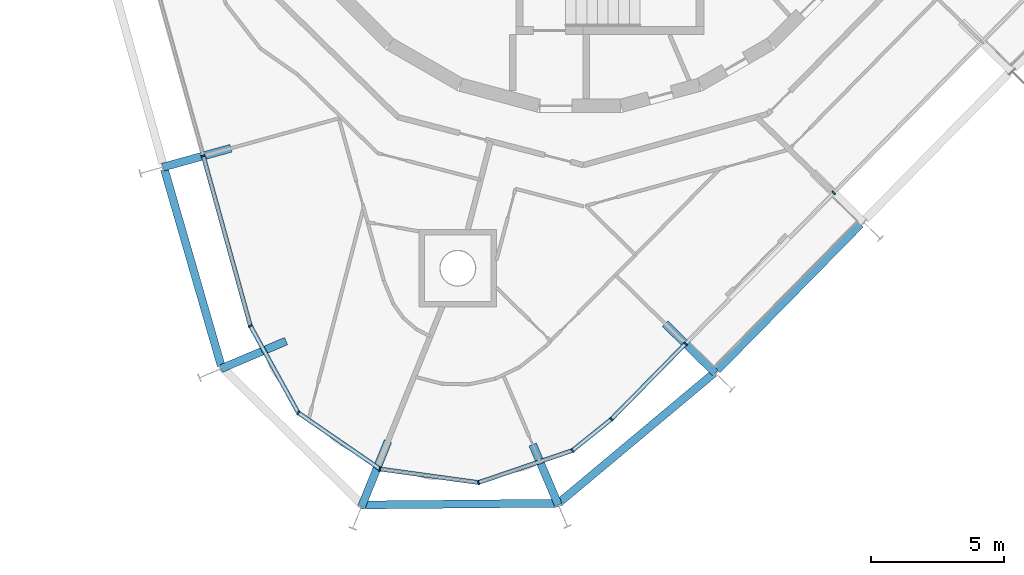
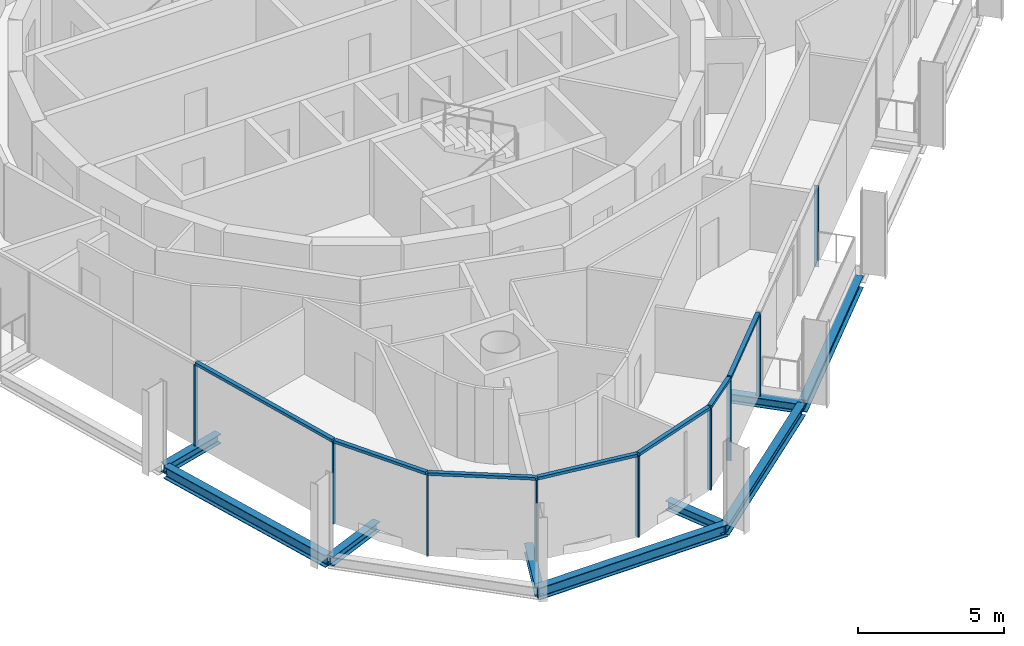
# One storey, part 2 of 15: 16 members, 9 beams, 2 elements without a shape of their own.
"""IFC4 building model written with IfcOpenShell, lengths in metres."""

from ifc_helpers import new_model, si_unit, direction, frame, origin, origin_2d, place, context, subcontext, project, spatial, rectangle, i_section, extrude, material, layer, layer_set, material_profile, profile_set, type_object, element, aggregate, save


model = new_model("IFC4")

# Units and contexts
model_context = context("Model", 3, precision=1e-05, world=origin(), true_north=direction((0.0, 1.0)))
body_context = subcontext(model_context, "Body", "Model", "MODEL_VIEW")
ifc_project = project(units=[si_unit("LENGTHUNIT", "METRE"), si_unit("AREAUNIT", "SQUARE_METRE"), si_unit("VOLUMEUNIT", "CUBIC_METRE"), si_unit("PLANEANGLEUNIT", "RADIAN"), si_unit("MASSUNIT", "GRAM", prefix="KILO")], contexts=[model_context])

# Site, building, storey
site_placement = place(None, origin())
site = spatial("IfcSite", under=ifc_project, at=site_placement, CompositionType="ELEMENT")
building_placement = place(site_placement, origin())
building = spatial("IfcBuilding", under=site, at=building_placement, Name="Spindle Arch Residences", CompositionType="ELEMENT")
storey_placement = place(building_placement, frame((0.0, 0.0, 305.199951171875)))
storey = spatial("IfcBuildingStorey", under=building, at=storey_placement, Name="L78", CompositionType="ELEMENT", Elevation=305.199951171875)

# Curtain wall, members
ifc_material_1 = material(Name="Aluminium bronze unitised frame with tinted glass", Category="aluminium")
ifc_layer_1 = layer(ifc_material_1, 0.159912109375)
ifc_layer_set_1 = layer_set([ifc_layer_1], Name="CW-D corner wall on the fillet arcs")
curtain_wall_type_1 = type_object("IfcCurtainWallType", Name="CW-D corner wall on the fillet arcs", PredefinedType="NOTDEFINED", material=ifc_layer_set_1)
curtain_wall_1_placement = place(storey_placement, origin())
curtain_wall_1 = element("IfcCurtainWall", 1, at=curtain_wall_1_placement, inside=storey, type_object=curtain_wall_type_1, Name="CW-D L78 run 5", PredefinedType="NOTDEFINED")
ifc_material_2 = material(Name="Aluminium bronze anodised mullion", Category="aluminium")
ifc_material_profile_1 = material_profile(ifc_material_2, rectangle(XDim=0.159912109375, YDim=0.06005859375, at=origin_2d()), Name="MU 60x160")
ifc_profile_set_1 = profile_set([ifc_material_profile_1], Name="Aluminium bronze anodised mullion")
member_type_1 = type_object("IfcMemberType", Name="Bronze mullion 60x160", PredefinedType="MULLION", material=ifc_profile_set_1)
member_1_placement = place(storey_placement, frame((-14.1435546875, -13.529296875, -0.3798828125), z_axis=(0.0, 0.0, 1.0), x_axis=(0.963630453209, 0.267238376078, 0.0)))
member_1 = element("IfcMember", 2, at=member_1_placement, type_object=member_type_1, Name="CW-D mullion 00", PredefinedType="MULLION", context=body_context, shape_type="SweptSolid", body=[
    extrude(rectangle(XDim=0.159912109375, YDim=0.06005859375, at=origin_2d()), origin(), (0.0, 0.0, 1.0), 3.3798828125),
])
member_2_placement = place(storey_placement, frame((-12.37548828125, -19.90478515625, -0.3798828125), z_axis=(0.0, 0.0, 1.0), x_axis=(0.876026260142, 0.482263404731, 0.0)))
member_2 = element("IfcMember", 3, at=member_2_placement, type_object=member_type_1, Name="CW-D mullion 01", PredefinedType="MULLION", context=body_context, shape_type="SweptSolid", body=[
    extrude(rectangle(XDim=0.159912109375, YDim=0.06005859375, at=origin_2d()), origin(), (0.0, 0.0, 1.0), 3.3798828125),
])
member_3_placement = place(storey_placement, frame((-10.578125, -23.16943359375, -0.3798828125), z_axis=(0.0, 0.0, 1.0), x_axis=(0.566406236997, 0.824126188573, 0.0)))
member_3 = element("IfcMember", 4, at=member_3_placement, type_object=member_type_1, Name="CW-D mullion 02", PredefinedType="MULLION", context=body_context, shape_type="SweptSolid", body=[
    extrude(rectangle(XDim=0.159912109375, YDim=0.06005859375, at=origin_2d()), origin(), (0.0, 0.0, 1.0), 3.3798828125),
])
member_4_placement = place(storey_placement, frame((-7.5068359375, -25.2802734375, -0.3798828125), z_axis=(0.0, 0.0, 1.0), x_axis=(0.136291936259, 0.99066871764, 0.0)))
member_4 = element("IfcMember", 5, at=member_4_placement, type_object=member_type_1, Name="CW-D mullion 03", PredefinedType="MULLION", context=body_context, shape_type="SweptSolid", body=[
    extrude(rectangle(XDim=0.159912109375, YDim=0.06005859375, at=origin_2d()), origin(), (0.0, 0.0, 1.0), 3.3798828125),
])
member_5_placement = place(storey_placement, frame((-3.81494140625, -25.788330078125, -0.3798828125), z_axis=(0.0, 0.0, 1.0), x_axis=(-0.322816381002, 0.946461612616, 0.0)))
member_5 = element("IfcMember", 6, at=member_5_placement, type_object=member_type_1, Name="CW-D mullion 04", PredefinedType="MULLION", context=body_context, shape_type="SweptSolid", body=[
    extrude(rectangle(XDim=0.159912109375, YDim=0.06005859375, at=origin_2d()), origin(), (0.0, 0.0, 1.0), 3.3798828125),
])
member_6_placement = place(storey_placement, frame((-0.28759765625, -24.585205078125, -0.3798828125), z_axis=(0.0, 0.0, 1.0), x_axis=(-0.627057102153, 0.778973292636, 0.0)))
member_6 = element("IfcMember", 7, at=member_6_placement, type_object=member_type_1, Name="CW-D mullion 05", PredefinedType="MULLION", context=body_context, shape_type="SweptSolid", body=[
    extrude(rectangle(XDim=0.159912109375, YDim=0.06005859375, at=origin_2d()), origin(), (0.0, 0.0, 1.0), 3.3798828125),
])
member_7_placement = place(storey_placement, frame((1.173828125, -23.40869140625, -0.3798828125), z_axis=(0.0, 0.0, 1.0), x_axis=(-0.713250449154, 0.7009092643, 0.0)))
member_7 = element("IfcMember", 8, at=member_7_placement, type_object=member_type_1, Name="CW-D mullion 06", PredefinedType="MULLION", context=body_context, shape_type="SweptSolid", body=[
    extrude(rectangle(XDim=0.159912109375, YDim=0.06005859375, at=origin_2d()), origin(), (0.0, 0.0, 1.0), 3.3798828125),
])

ifc_material_3 = material(Name="Aluminium bronze unitised frame with tinted glass", Category="aluminium")
ifc_layer_2 = layer(ifc_material_3, 0.159912109375)
ifc_layer_set_2 = layer_set([ifc_layer_2], Name="CW-C typical residential unitised wall")
curtain_wall_type_2 = type_object("IfcCurtainWallType", Name="CW-C typical residential unitised wall", PredefinedType="NOTDEFINED", material=ifc_layer_set_2)
curtain_wall_2_placement = place(storey_placement, origin())
curtain_wall_2 = element("IfcCurtainWall", 9, at=curtain_wall_2_placement, inside=storey, type_object=curtain_wall_type_2, Name="CW-C L78 run 6", PredefinedType="NOTDEFINED")
member_8_placement = place(storey_placement, frame((3.95703125, -20.576416015625, -0.3798828125), z_axis=(0.0, 0.0, 1.0), x_axis=(-0.713250449154, 0.7009092643, 0.0)))
member_8 = element("IfcMember", 10, at=member_8_placement, type_object=member_type_1, Name="CW-C mullion 18", PredefinedType="MULLION", context=body_context, shape_type="SweptSolid", body=[
    extrude(rectangle(XDim=0.159912109375, YDim=0.06005859375, at=origin_2d()), origin(), (0.0, 0.0, 1.0), 3.3798828125),
])
member_9_placement = place(storey_placement, frame((9.518798828125, -14.916748046875, -0.3798828125), z_axis=(0.0, 0.0, 1.0), x_axis=(-0.713250449154, 0.7009092643, 0.0)))
member_9 = element("IfcMember", 11, at=member_9_placement, type_object=member_type_1, Name="CW-C mullion 19", PredefinedType="MULLION", context=body_context, shape_type="SweptSolid", body=[
    extrude(rectangle(XDim=0.159912109375, YDim=0.06005859375, at=origin_2d()), origin(), (0.0, 0.0, 1.0), 3.3798828125),
])
aggregate(curtain_wall_2, [member_8, member_9])

# Member
ifc_material_4 = material(Name="Aluminium bronze anodised transom", Category="aluminium")
ifc_material_profile_2 = material_profile(ifc_material_4, rectangle(XDim=0.159912109375, YDim=0.1201171875, at=origin_2d()), Name="TR 120x160")
ifc_profile_set_2 = profile_set([ifc_material_profile_2], Name="Aluminium bronze anodised transom")
member_type_2 = type_object("IfcMemberType", Name="Bronze transom 120x160", PredefinedType="USERDEFINED", material=ifc_profile_set_2)
member_10_placement = place(storey_placement, frame((-14.135498046875, -13.558349609375, 3.06005859375), z_axis=(0.267236650425, -0.963630931773, 0.0), x_axis=(0.963630931773, 0.267236650425, 0.0)))
member_10 = element("IfcMember", 12, at=member_10_placement, type_object=member_type_2, Name="CW-D transom 00", ObjectType="TRANSOM", PredefinedType="USERDEFINED", context=body_context, shape_type="SweptSolid", body=[
    extrude(rectangle(XDim=0.159912109375, YDim=0.1201171875, at=origin_2d()), origin(), (0.0, 0.0, 1.0), 6.555908203125),
])

member_11_placement = place(storey_placement, frame((-12.36083984375, -19.930908203125, 3.06005859375), z_axis=(0.482258656, -0.87602887436, 0.0), x_axis=(0.87602887436, 0.482258656, 0.0)))
member_11 = element("IfcMember", 13, at=member_11_placement, type_object=member_type_2, Name="CW-D transom 01", ObjectType="TRANSOM", PredefinedType="USERDEFINED", context=body_context, shape_type="SweptSolid", body=[
    extrude(rectangle(XDim=0.159912109375, YDim=0.1201171875, at=origin_2d()), origin(), (0.0, 0.0, 1.0), 3.666748046875),
])

member_12_placement = place(storey_placement, frame((-10.553466796875, -23.1865234375, 3.06005859375), z_axis=(0.824162355163, -0.566353610682, 0.0), x_axis=(0.566353610682, 0.824162355163, 0.0)))
member_12 = element("IfcMember", 14, at=member_12_placement, type_object=member_type_2, Name="CW-D transom 02", ObjectType="TRANSOM", PredefinedType="USERDEFINED", context=body_context, shape_type="SweptSolid", body=[
    extrude(rectangle(XDim=0.159912109375, YDim=0.1201171875, at=origin_2d()), origin(), (0.0, 0.0, 1.0), 3.666748046875),
])

member_13_placement = place(storey_placement, frame((-7.47705078125, -25.284423828125, 3.06005859375), z_axis=(0.9906686165, -0.136292671414, 0.0), x_axis=(0.136292671414, 0.9906686165, 0.0)))
member_13 = element("IfcMember", 15, at=member_13_placement, type_object=member_type_2, Name="CW-D transom 03", ObjectType="TRANSOM", PredefinedType="USERDEFINED", context=body_context, shape_type="SweptSolid", body=[
    extrude(rectangle(XDim=0.159912109375, YDim=0.1201171875, at=origin_2d()), origin(), (0.0, 0.0, 1.0), 3.666748046875),
])

member_14_placement = place(storey_placement, frame((-3.786376953125, -25.778564453125, 3.06005859375), z_axis=(0.946449629286, 0.322851512656, 0.0), x_axis=(-0.322851512656, 0.946449629286, 0.0)))
member_14 = element("IfcMember", 16, at=member_14_placement, type_object=member_type_2, Name="CW-D transom 04", ObjectType="TRANSOM", PredefinedType="USERDEFINED", context=body_context, shape_type="SweptSolid", body=[
    extrude(rectangle(XDim=0.159912109375, YDim=0.1201171875, at=origin_2d()), origin(), (0.0, 0.0, 1.0), 3.666748046875),
])

member_15_placement = place(storey_placement, frame((-0.26416015625, -24.56640625, 3.06005859375), z_axis=(0.778910776855, 0.627134755614, 0.0), x_axis=(-0.627134755614, 0.778910776855, 0.0)))
member_15 = element("IfcMember", 17, at=member_15_placement, type_object=member_type_2, Name="CW-D transom 05", ObjectType="TRANSOM", PredefinedType="USERDEFINED", context=body_context, shape_type="SweptSolid", body=[
    extrude(rectangle(XDim=0.159912109375, YDim=0.1201171875, at=origin_2d()), origin(), (0.0, 0.0, 1.0), 1.816162109375),
])

member_16_placement = place(storey_placement, frame((1.19482421875, -23.387451171875, 3.06005859375), z_axis=(0.70089977121, 0.713259777863, 0.0), x_axis=(-0.713259777863, 0.70089977121, 0.0)))
member_16 = element("IfcMember", 18, at=member_16_placement, type_object=member_type_2, Name="CW-D transom 06", ObjectType="TRANSOM", PredefinedType="USERDEFINED", context=body_context, shape_type="SweptSolid", body=[
    extrude(rectangle(XDim=0.159912109375, YDim=0.1201171875, at=origin_2d()), origin(), (0.0, 0.0, 1.0), 3.910888671875),
])

aggregate(curtain_wall_1, [member_1, member_10, member_2, member_11, member_3, member_12, member_4, member_13, member_5, member_14, member_6, member_15, member_7, member_16])

# Beams
ifc_material_5 = material(Name="Steel S460ML, intumescent coating R 120", Category="steel")
ifc_material_profile_3 = material_profile(ifc_material_5, i_section(OverallWidth=0.300048828125, OverallDepth=0.5, WebThickness=0.014404296875, FlangeThickness=0.028076171875, FilletRadius=0.027099609375, at=origin_2d()), Name="HEB 500")
ifc_profile_set_3 = profile_set([ifc_material_profile_3], Name="Steel S460ML, intumescent coating R 120")
beam_type_1 = type_object("IfcBeamType", Name="Exoskeleton edge beam HEB 500", PredefinedType="BEAM", material=ifc_profile_set_3)
beam_1_placement = place(storey_placement, frame((-15.6005859375, -14.035888671875, -0.6298828125), z_axis=(0.277657791247, -0.960680046092, 0.0), x_axis=(0.960680046092, 0.277657791247, 0.0)))
element("IfcBeam", 19, at=beam_1_placement, inside=storey, type_object=beam_type_1, Name="Exoskeleton edge beam 15", PredefinedType="BEAM", context=body_context, shape_type="SweptSolid", body=[
    extrude(i_section(OverallWidth=0.300048828125, OverallDepth=0.5, WebThickness=0.014404296875, FlangeThickness=0.028076171875, FilletRadius=0.027099609375, at=origin_2d()), origin(), (0.0, 0.0, 1.0), 7.671875),
])
beam_2_placement = place(storey_placement, frame((-8.247314453125, -26.628662109375, -0.6298828125), z_axis=(0.999961377867, 0.00878878686, 0.0), x_axis=(-0.00878878686, 0.999961377867, 0.0)))
element("IfcBeam", 20, at=beam_2_placement, inside=storey, type_object=beam_type_1, Name="Exoskeleton edge beam 17", PredefinedType="BEAM", context=body_context, shape_type="SweptSolid", body=[
    extrude(i_section(OverallWidth=0.300048828125, OverallDepth=0.5, WebThickness=0.014404296875, FlangeThickness=0.028076171875, FilletRadius=0.027099609375, at=origin_2d()), origin(), (0.0, 0.0, 1.0), 7.472412109375),
])
beam_3_placement = place(storey_placement, frame((-0.811279296875, -26.5615234375, -0.6298828125), z_axis=(0.767144884688, 0.641473870003, 0.0), x_axis=(-0.641473870003, 0.767144884688, 0.0)))
element("IfcBeam", 21, at=beam_3_placement, inside=storey, type_object=beam_type_1, Name="Exoskeleton edge beam 18", PredefinedType="BEAM", context=body_context, shape_type="SweptSolid", body=[
    extrude(i_section(OverallWidth=0.300048828125, OverallDepth=0.5, WebThickness=0.014404296875, FlangeThickness=0.028076171875, FilletRadius=0.027099609375, at=origin_2d()), origin(), (0.0, 0.0, 1.0), 7.611572265625),
])
beam_4_placement = place(storey_placement, frame((5.146484375, -21.56298828125, -0.6298828125), z_axis=(0.700924831043, 0.713235151425, 0.0), x_axis=(-0.713235151425, 0.700924831043, 0.0)))
element("IfcBeam", 22, at=beam_4_placement, inside=storey, type_object=beam_type_1, Name="Exoskeleton edge beam 19", PredefinedType="BEAM", context=body_context, shape_type="SweptSolid", body=[
    extrude(i_section(OverallWidth=0.300048828125, OverallDepth=0.5, WebThickness=0.014404296875, FlangeThickness=0.028076171875, FilletRadius=0.027099609375, at=origin_2d()), origin(), (0.0, 0.0, 1.0), 7.675048828125),
])
ifc_material_6 = material(Name="Steel S460ML, intumescent coating R 120", Category="steel")
ifc_material_profile_4 = material_profile(ifc_material_6, i_section(OverallWidth=0.300048828125, OverallDepth=0.389892578125, WebThickness=0.010986328125, FlangeThickness=0.01904296875, FilletRadius=0.027099609375, at=origin_2d()), Name="HEA 400")
ifc_profile_set_4 = profile_set([ifc_material_profile_4], Name="Steel S460ML, intumescent coating R 120")
beam_type_2 = type_object("IfcBeamType", Name="Floor outrigger HEA 400", PredefinedType="BEAM", material=ifc_profile_set_4)
beam_5_placement = place(storey_placement, frame((-15.656494140625, -13.948974609375, -0.574951171875), z_axis=(0.963626057771, 0.267254225009, 0.0), x_axis=(-0.267254225009, 0.963626057771, 0.0)))
element("IfcBeam", 23, at=beam_5_placement, inside=storey, type_object=beam_type_2, Name="Floor outrigger 15", PredefinedType="BEAM", context=body_context, shape_type="SweptSolid", body=[
    extrude(i_section(OverallWidth=0.300048828125, OverallDepth=0.389892578125, WebThickness=0.010986328125, FlangeThickness=0.01904296875, FilletRadius=0.027099609375, at=origin_2d()), origin(), (0.0, 0.0, 1.0), 2.650146484375),
])
for number, where, z_axis, x_axis, name in (
    (24, (-13.47314453125, -21.51318359375, -0.574951171875), (0.920615907856, 0.390469397267, 0.0), (-0.390469397267, 0.920615907856, 0.0), "Floor outrigger 16"),
    (25, (-8.20458984375, -26.692626953125, -0.574951171875), (0.374597094323, 0.927187692393, 0.0), (-0.927187692393, 0.374597094323, 0.0), "Floor outrigger 17"),
):
    element("IfcBeam", number, at=place(storey_placement, frame(where, z_axis=z_axis, x_axis=x_axis)), inside=storey, type_object=beam_type_2, Name=name, PredefinedType="BEAM", context=body_context, shape_type="SweptSolid", body=[
        extrude(i_section(OverallWidth=0.300048828125, OverallDepth=0.389892578125, WebThickness=0.010986328125, FlangeThickness=0.01904296875, FilletRadius=0.027099609375, at=origin_2d()), origin(), (0.0, 0.0, 1.0), 2.64990234375),
    ])
beam_6_placement = place(storey_placement, frame((-0.81689453125, -26.62744140625, -0.574951171875), z_axis=(-0.39089545077, 0.920435085472, 0.0), x_axis=(-0.920435085472, -0.39089545077, 0.0)))
element("IfcBeam", 26, at=beam_6_placement, inside=storey, type_object=beam_type_2, Name="Floor outrigger 18", PredefinedType="BEAM", context=body_context, shape_type="SweptSolid", body=[
    extrude(i_section(OverallWidth=0.300048828125, OverallDepth=0.389892578125, WebThickness=0.010986328125, FlangeThickness=0.01904296875, FilletRadius=0.027099609375, at=origin_2d()), origin(), (0.0, 0.0, 1.0), 2.467041015625),
])
beam_7_placement = place(storey_placement, frame((5.076904296875, -21.677001953125, -0.574951171875), z_axis=(-0.713252393258, 0.70090728596, 0.0), x_axis=(-0.70090728596, -0.713252393258, 0.0)))
element("IfcBeam", 27, at=beam_7_placement, inside=storey, type_object=beam_type_2, Name="Floor outrigger 19", PredefinedType="BEAM", context=body_context, shape_type="SweptSolid", body=[
    extrude(i_section(OverallWidth=0.300048828125, OverallDepth=0.389892578125, WebThickness=0.010986328125, FlangeThickness=0.01904296875, FilletRadius=0.027099609375, at=origin_2d()), origin(), (0.0, 0.0, 1.0), 2.650146484375),
])

save(model, "model.ifc")
